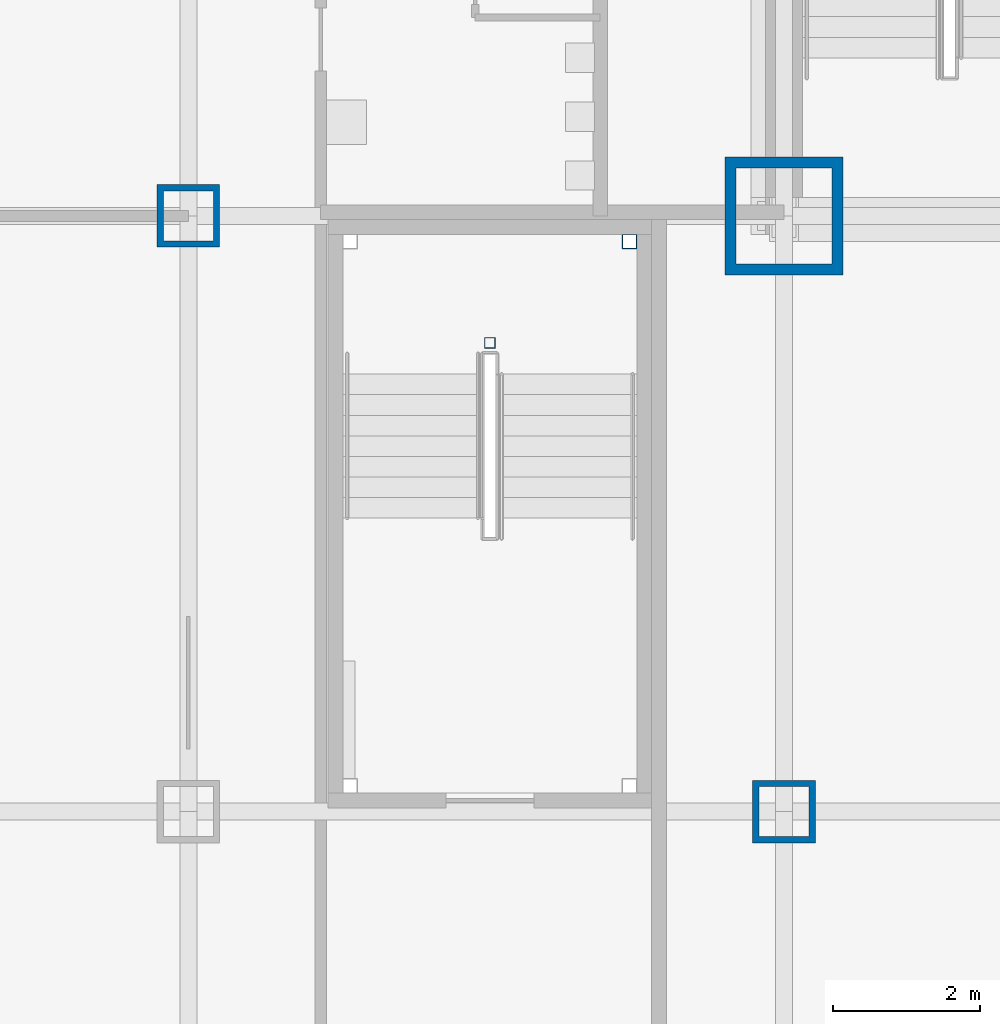
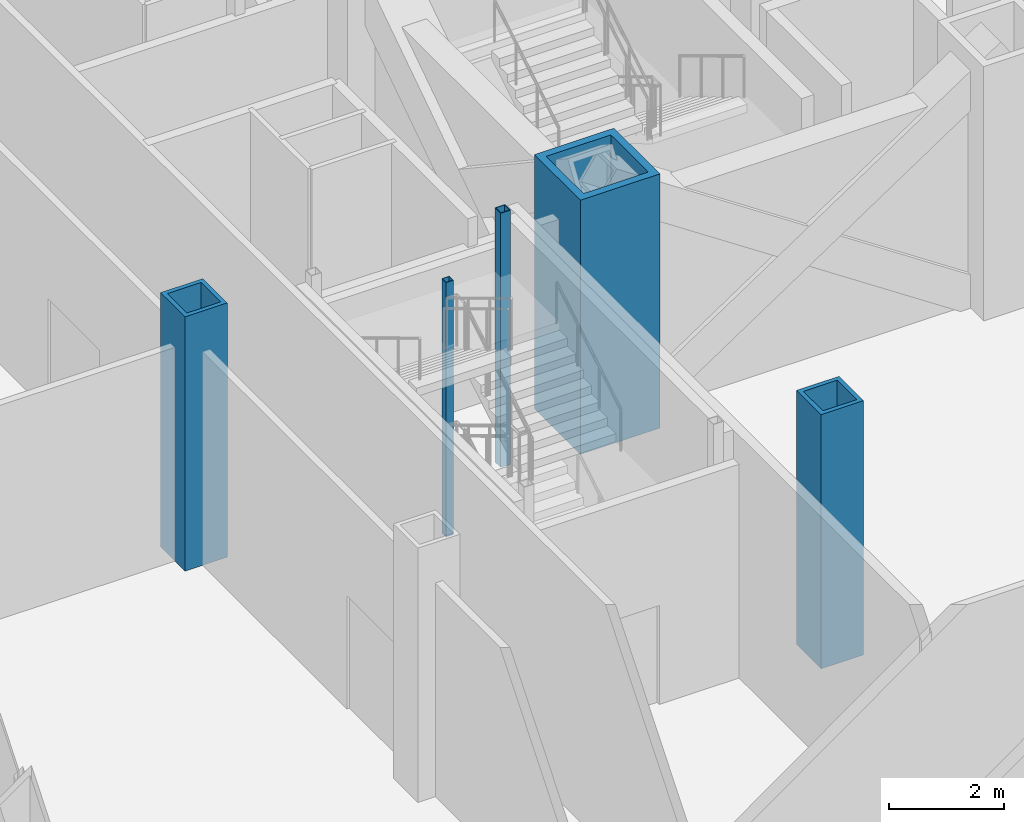
# One storey, part 2 of 26: 5 columns.
"""IFC4 building model written with IfcOpenShell, lengths in metres."""

from ifc_helpers import new_model, si_unit, direction, frame, origin, origin_2d, place, context, subcontext, project, spatial, hollow_rectangle, extrude, material, material_profile, profile_set, type_object, element, save


model = new_model("IFC4")

# Units and contexts
model_context = context("Model", 3, precision=1e-05, world=origin(), true_north=direction((0.0, 1.0)))
body_context = subcontext(model_context, "Body", "Model", "MODEL_VIEW")
ifc_project = project(units=[si_unit("LENGTHUNIT", "METRE"), si_unit("AREAUNIT", "SQUARE_METRE"), si_unit("VOLUMEUNIT", "CUBIC_METRE"), si_unit("PLANEANGLEUNIT", "RADIAN"), si_unit("MASSUNIT", "GRAM", prefix="KILO")], contexts=[model_context])

# Site, building, storey
site_placement = place(None, origin())
site = spatial("IfcSite", under=ifc_project, at=site_placement, CompositionType="ELEMENT")
building_placement = place(site_placement, origin())
building = spatial("IfcBuilding", under=site, at=building_placement, Name="Kopane Lantern Tower", CompositionType="ELEMENT")
storey_placement = place(building_placement, frame((0.0, 0.0, 16.800048828125)))
storey = spatial("IfcBuildingStorey", under=building, at=storey_placement, Name="L03", CompositionType="ELEMENT", Elevation=16.800048828125)

# Columns
ifc_material_1 = material(Name="Steel S355JR", Category="steel")
ifc_material_profile_1 = material_profile(ifc_material_1, hollow_rectangle(XDim=1.60009765625, YDim=1.60009765625, WallThickness=0.14990234375, at=origin_2d()), Name="BOX 1600x1600x150")
ifc_profile_set_1 = profile_set([ifc_material_profile_1], Name="Steel S355JR")
column_type_1 = type_object("IfcColumnType", Name="COLUMN BOX 1600x1600x150", PredefinedType="COLUMN", material=ifc_profile_set_1)
column_1_placement = place(storey_placement, frame((16.199951171875, 24.300048828125, 0.0), z_axis=(0.0, 0.0, 1.0), x_axis=(1.0, 0.0, 0.0)))
element("IfcColumn", 1, at=column_1_placement, inside=storey, type_object=column_type_1, Name="Column 4/E L03", PredefinedType="COLUMN", context=body_context, shape_type="SweptSolid", body=[
    extrude(hollow_rectangle(XDim=1.60009765625, YDim=1.60009765625, WallThickness=0.14990234375, at=origin_2d()), origin(), (0.0, 0.0, 1.0), 5.39990234375),
])
ifc_material_2 = material(Name="Steel S355JR", Category="steel")
ifc_material_profile_2 = material_profile(ifc_material_2, hollow_rectangle(XDim=0.85009765625, YDim=0.85009765625, WallThickness=0.0849609375, at=origin_2d()), Name="BOX 850x850x85")
ifc_profile_set_2 = profile_set([ifc_material_profile_2], Name="Steel S355JR")
column_type_2 = type_object("IfcColumnType", Name="COLUMN BOX 850x850x85", PredefinedType="COLUMN", material=ifc_profile_set_2)
for number, where, z_axis, x_axis, name in (
    (2, (8.10009765625, 24.300048828125, 0.0), (0.0, 0.0, 1.0), (1.0, 0.0, 0.0), "Column 3/E L03"),
    (3, (16.199951171875, 16.199951171875, 0.0), (0.0, 0.0, 1.0), (1.0, 0.0, 0.0), "Column 4/D L03"),
):
    element("IfcColumn", number, at=place(storey_placement, frame(where, z_axis=z_axis, x_axis=x_axis)), inside=storey, type_object=column_type_2, Name=name, PredefinedType="COLUMN", context=body_context, shape_type="SweptSolid", body=[
        extrude(hollow_rectangle(XDim=0.85009765625, YDim=0.85009765625, WallThickness=0.0849609375, at=origin_2d()), origin(), (0.0, 0.0, 1.0), 5.39990234375),
    ])
ifc_material_3 = material(Name="Steel S355JR", Category="steel")
ifc_material_profile_3 = material_profile(ifc_material_3, hollow_rectangle(XDim=0.14990234375, YDim=0.14990234375, WallThickness=0.010009765625, at=origin_2d()), Name="BOX 150x150x10")
ifc_profile_set_3 = profile_set([ifc_material_profile_3], Name="Steel S355JR")
column_type_3 = type_object("IfcColumnType", Name="STAIR NEWEL POST BOX 150x150x10", PredefinedType="COLUMN", material=ifc_profile_set_3)
column_2_placement = place(storey_placement, frame((12.199951171875, 22.574951171875, 0.0), z_axis=(0.0, 0.0, 1.0), x_axis=(1.0, 0.0, 0.0)))
element("IfcColumn", 4, at=column_2_placement, inside=storey, type_object=column_type_3, Name="Stair newel post ST3 NEWEL L03", PredefinedType="COLUMN", context=body_context, shape_type="SweptSolid", body=[
    extrude(hollow_rectangle(XDim=0.14990234375, YDim=0.14990234375, WallThickness=0.010009765625, at=origin_2d()), origin(), (0.0, 0.0, 1.0), 5.39990234375),
])
ifc_material_4 = material(Name="Steel S355JR", Category="steel")
ifc_material_profile_4 = material_profile(ifc_material_4, hollow_rectangle(XDim=0.199951171875, YDim=0.199951171875, WallThickness=0.011962890625, at=origin_2d()), Name="BOX 200x200x12")
ifc_profile_set_4 = profile_set([ifc_material_profile_4], Name="Steel S355JR")
column_type_4 = type_object("IfcColumnType", Name="STAIR POST BOX 200x200x12", PredefinedType="COLUMN", material=ifc_profile_set_4)
column_3_placement = place(storey_placement, frame((14.10009765625, 23.949951171875, 0.0), z_axis=(0.0, 0.0, 1.0), x_axis=(1.0, 0.0, 0.0)))
element("IfcColumn", 5, at=column_3_placement, inside=storey, type_object=column_type_4, Name="Stair post ST3 NE L03", PredefinedType="COLUMN", context=body_context, shape_type="SweptSolid", body=[
    extrude(hollow_rectangle(XDim=0.199951171875, YDim=0.199951171875, WallThickness=0.011962890625, at=origin_2d()), origin(), (0.0, 0.0, 1.0), 5.39990234375),
])

save(model, "model.ifc")
